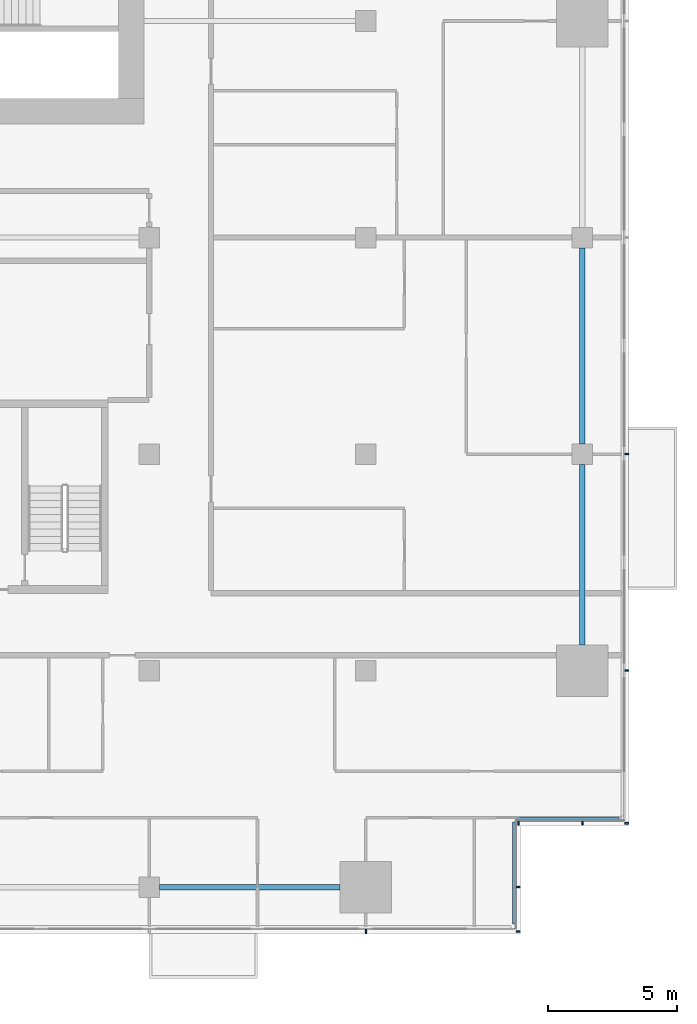
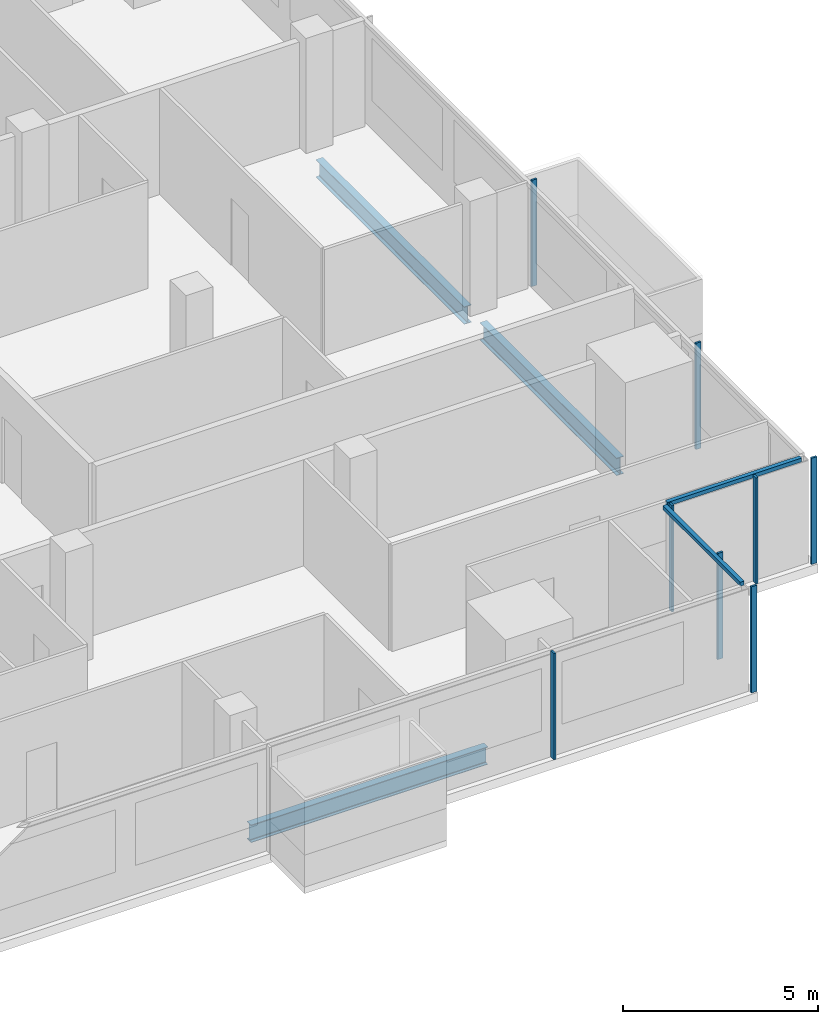
# One storey, part 11 of 26: 10 members, 3 beams, 4 elements without a shape of their own.
"""IFC4 building model written with IfcOpenShell, lengths in metres."""

from ifc_helpers import new_model, si_unit, direction, frame, origin, origin_2d, place, context, subcontext, project, spatial, rectangle, i_section, extrude, material, material_profile, profile_set, type_object, element, aggregate, save


model = new_model("IFC4")

# Units and contexts
model_context = context("Model", 3, precision=1e-05, world=origin(), true_north=direction((0.0, 1.0)))
body_context = subcontext(model_context, "Body", "Model", "MODEL_VIEW")
ifc_project = project(units=[si_unit("LENGTHUNIT", "METRE"), si_unit("AREAUNIT", "SQUARE_METRE"), si_unit("VOLUMEUNIT", "CUBIC_METRE"), si_unit("PLANEANGLEUNIT", "RADIAN"), si_unit("MASSUNIT", "GRAM", prefix="KILO")], contexts=[model_context])

# Site, building, storey
site_placement = place(None, origin())
site = spatial("IfcSite", under=ifc_project, at=site_placement, CompositionType="ELEMENT")
building_placement = place(site_placement, origin())
building = spatial("IfcBuilding", under=site, at=building_placement, Name="Saffron Gate Tower", CompositionType="ELEMENT")
storey_placement = place(building_placement, frame((0.0, 0.0, 120.449951171875)))
storey = spatial("IfcBuildingStorey", under=building, at=storey_placement, Name="L28", CompositionType="ELEMENT", Elevation=120.449951171875)

# Beams
ifc_material_1 = material(Name="Structural steel S355", Category="steel")
ifc_material_profile_1 = material_profile(ifc_material_1, i_section(OverallWidth=0.2099609375, OverallDepth=0.550048828125, WebThickness=0.010986328125, FlangeThickness=0.01708984375, FilletRadius=0.02392578125, at=origin_2d()))
ifc_profile_set_1 = profile_set([ifc_material_profile_1], Name="Structural steel S355")
beam_type = type_object("IfcBeamType", Name="B13 IPE 550", PredefinedType="SPANDREL", material=ifc_profile_set_1)
for number, where, z_axis, x_axis, name in (
    (1, (109.0, 31.800048828125, -0.554931640625), (1.0, 0.0, 0.0), (0.0, 1.0, 0.0), "B13 SPANDREL BEAM"),
    (2, (125.39990234375, 41.199951171875, -0.554931640625), (0.0, 1.0, 0.0), (-1.0, 0.0, 0.0), "B13 SPANDREL BEAM"),
):
    element("IfcBeam", number, at=place(storey_placement, frame(where, z_axis=z_axis, x_axis=x_axis)), inside=storey, type_object=beam_type, Name=name, PredefinedType="SPANDREL", context=body_context, shape_type="SweptSolid", body=[
        extrude(i_section(OverallWidth=0.2099609375, OverallDepth=0.550048828125, WebThickness=0.010986328125, FlangeThickness=0.01708984375, FilletRadius=0.02392578125, at=origin_2d()), origin(), (0.0, 0.0, 1.0), 7.0),
    ])
beam_placement = place(storey_placement, frame((125.39990234375, 49.0, -0.554931640625), z_axis=(0.0, 1.0, 0.0), x_axis=(-1.0, 0.0, 0.0)))
element("IfcBeam", 3, at=beam_placement, inside=storey, type_object=beam_type, Name="B13 SPANDREL BEAM", PredefinedType="SPANDREL", context=body_context, shape_type="SweptSolid", body=[
    extrude(i_section(OverallWidth=0.2099609375, OverallDepth=0.550048828125, WebThickness=0.010986328125, FlangeThickness=0.01708984375, FilletRadius=0.02392578125, at=origin_2d()), origin(), (0.0, 0.0, 1.0), 7.60009765625),
])

# Curtain wall, member
ifc_material_2 = material(Name="Aluminium, bronze anodised", Category="aluminium")
curtain_wall_type_1 = type_object("IfcCurtainWallType", Name="CWS1 curtain wall front facade", PredefinedType="NOTDEFINED", material=ifc_material_2)
curtain_wall_1_placement = place(storey_placement, origin())
curtain_wall_1 = element("IfcCurtainWall", 4, at=curtain_wall_1_placement, inside=storey, type_object=curtain_wall_type_1, Name="CWS1 run 1", PredefinedType="NOTDEFINED")
ifc_material_profile_2 = material_profile(ifc_material_2, rectangle(XDim=0.159912109375, YDim=0.06005859375, at=origin_2d()))
ifc_profile_set_2 = profile_set([ifc_material_profile_2], Name="Aluminium, bronze anodised")
member_type_1 = type_object("IfcMemberType", Name="CWS1 mullion 60x160", PredefinedType="MULLION", material=ifc_profile_set_2)
member_1_placement = place(storey_placement, frame((117.0, 30.080078125, 0.0), z_axis=(0.0, 0.0, 1.0), x_axis=(0.0, 1.0, 0.0)))
member_1 = element("IfcMember", 5, at=member_1_placement, type_object=member_type_1, Name="CWS1 mullion 9", PredefinedType="MULLION", context=body_context, shape_type="SweptSolid", body=[
    extrude(rectangle(XDim=0.159912109375, YDim=0.06005859375, at=origin_2d()), origin(), (0.0, 0.0, 1.0), 3.320068359375),
])
aggregate(curtain_wall_1, [member_1])

# Curtain wall, members
curtain_wall_type_2 = type_object("IfcCurtainWallType", Name="CWS2 curtain wall side facades", PredefinedType="NOTDEFINED", material=ifc_material_2)
curtain_wall_2_placement = place(storey_placement, origin())
curtain_wall_2 = element("IfcCurtainWall", 6, at=curtain_wall_2_placement, inside=storey, type_object=curtain_wall_type_2, Name="CWS2 run 4", PredefinedType="NOTDEFINED")
ifc_material_profile_3 = material_profile(ifc_material_2, rectangle(XDim=0.159912109375, YDim=0.06005859375, at=origin_2d()))
ifc_profile_set_3 = profile_set([ifc_material_profile_3], Name="Aluminium, bronze anodised")
member_type_2 = type_object("IfcMemberType", Name="CWS2 mullion 60x160", PredefinedType="MULLION", material=ifc_profile_set_3)
member_2_placement = place(storey_placement, frame((127.1201171875, 34.280029296875, 0.0), z_axis=(0.0, 0.0, 1.0), x_axis=(-1.0, 0.0, 0.0)))
member_2 = element("IfcMember", 7, at=member_2_placement, type_object=member_type_2, Name="CWS2 mullion 1", PredefinedType="MULLION", context=body_context, shape_type="SweptSolid", body=[
    extrude(rectangle(XDim=0.159912109375, YDim=0.06005859375, at=origin_2d()), origin(), (0.0, 0.0, 1.0), 3.320068359375),
])
member_3_placement = place(storey_placement, frame((127.1201171875, 40.199951171875, 0.0), z_axis=(0.0, 0.0, 1.0), x_axis=(-1.0, 0.0, 0.0)))
member_3 = element("IfcMember", 8, at=member_3_placement, type_object=member_type_2, Name="CWS2 mullion 2", PredefinedType="MULLION", context=body_context, shape_type="SweptSolid", body=[
    extrude(rectangle(XDim=0.159912109375, YDim=0.06005859375, at=origin_2d()), origin(), (0.0, 0.0, 1.0), 3.320068359375),
])
member_4_placement = place(storey_placement, frame((127.1201171875, 48.60009765625, 0.0), z_axis=(0.0, 0.0, 1.0), x_axis=(-1.0, 0.0, 0.0)))
member_4 = element("IfcMember", 9, at=member_4_placement, type_object=member_type_2, Name="CWS2 mullion 3", PredefinedType="MULLION", context=body_context, shape_type="SweptSolid", body=[
    extrude(rectangle(XDim=0.159912109375, YDim=0.06005859375, at=origin_2d()), origin(), (0.0, 0.0, 1.0), 3.320068359375),
])
aggregate(curtain_wall_2, [member_2, member_3, member_4])

# Curtain wall, member
curtain_wall_type_3 = type_object("IfcCurtainWallType", Name="CWS4 curtain wall corner returns", PredefinedType="NOTDEFINED", material=ifc_material_2)
curtain_wall_3_placement = place(storey_placement, origin())
curtain_wall_3 = element("IfcCurtainWall", 10, at=curtain_wall_3_placement, inside=storey, type_object=curtain_wall_type_3, Name="CWS4 run 2", PredefinedType="NOTDEFINED")
ifc_material_profile_4 = material_profile(ifc_material_2, rectangle(XDim=0.1201171875, YDim=0.1201171875, at=origin_2d()))
ifc_profile_set_4 = profile_set([ifc_material_profile_4], Name="Aluminium, bronze anodised")
member_type_3 = type_object("IfcMemberType", Name="CWS4 head transom", PredefinedType="USERDEFINED", material=ifc_profile_set_4)
member_5_placement = place(storey_placement, frame((122.751953125, 30.367919921875, 3.260009765625), z_axis=(0.0, 1.0, 0.0), x_axis=(-1.0, 0.0, 0.0)))
member_5 = element("IfcMember", 11, at=member_5_placement, type_object=member_type_3, Name="CWS4 head transom", ObjectType="TRANSOM", PredefinedType="USERDEFINED", context=body_context, shape_type="SweptSolid", body=[
    extrude(rectangle(XDim=0.1201171875, YDim=0.1201171875, at=origin_2d()), origin(), (0.0, 0.0, 1.0), 3.9599609375),
])

curtain_wall_4_placement = place(storey_placement, origin())
curtain_wall_4 = element("IfcCurtainWall", 12, at=curtain_wall_4_placement, inside=storey, type_object=curtain_wall_type_3, Name="CWS4 run 3", PredefinedType="NOTDEFINED")
member_6_placement = place(storey_placement, frame((122.8720703125, 34.447998046875, 3.260009765625), z_axis=(1.0, 0.0, 0.0), x_axis=(0.0, 1.0, 0.0)))
member_6 = element("IfcMember", 13, at=member_6_placement, type_object=member_type_3, Name="CWS4 head transom", ObjectType="TRANSOM", PredefinedType="USERDEFINED", context=body_context, shape_type="SweptSolid", body=[
    extrude(rectangle(XDim=0.1201171875, YDim=0.1201171875, at=origin_2d()), origin(), (0.0, 0.0, 1.0), 3.9599609375),
])

# Member
ifc_material_profile_5 = material_profile(ifc_material_2, rectangle(XDim=0.159912109375, YDim=0.06005859375, at=origin_2d()))
ifc_profile_set_5 = profile_set([ifc_material_profile_5], Name="Aluminium, bronze anodised")
member_type_4 = type_object("IfcMemberType", Name="CWS4 mullion 60x160", PredefinedType="MULLION", material=ifc_profile_set_5)
member_7_placement = place(storey_placement, frame((122.919921875, 30.080078125, 0.0), z_axis=(0.0, 0.0, 1.0), x_axis=(-1.0, 0.0, 0.0)))
member_7 = element("IfcMember", 14, at=member_7_placement, type_object=member_type_4, Name="CWS4 mullion 1", PredefinedType="MULLION", context=body_context, shape_type="SweptSolid", body=[
    extrude(rectangle(XDim=0.159912109375, YDim=0.06005859375, at=origin_2d()), origin(), (0.0, 0.0, 1.0), 3.320068359375),
])

member_8_placement = place(storey_placement, frame((122.919921875, 31.800048828125, 0.0), z_axis=(0.0, 0.0, 1.0), x_axis=(-1.0, 0.0, 0.0)))
member_8 = element("IfcMember", 15, at=member_8_placement, type_object=member_type_4, Name="CWS4 mullion 2", PredefinedType="MULLION", context=body_context, shape_type="SweptSolid", body=[
    extrude(rectangle(XDim=0.159912109375, YDim=0.06005859375, at=origin_2d()), origin(), (0.0, 0.0, 1.0), 3.320068359375),
])

aggregate(curtain_wall_3, [member_7, member_8, member_5])

member_9_placement = place(storey_placement, frame((122.919921875, 34.280029296875, 0.0), z_axis=(0.0, 0.0, 1.0), x_axis=(0.0, 1.0, 0.0)))
member_9 = element("IfcMember", 16, at=member_9_placement, type_object=member_type_4, Name="CWS4 mullion 1", PredefinedType="MULLION", context=body_context, shape_type="SweptSolid", body=[
    extrude(rectangle(XDim=0.159912109375, YDim=0.06005859375, at=origin_2d()), origin(), (0.0, 0.0, 1.0), 3.320068359375),
])

member_10_placement = place(storey_placement, frame((125.39990234375, 34.280029296875, 0.0), z_axis=(0.0, 0.0, 1.0), x_axis=(0.0, 1.0, 0.0)))
member_10 = element("IfcMember", 17, at=member_10_placement, type_object=member_type_4, Name="CWS4 mullion 2", PredefinedType="MULLION", context=body_context, shape_type="SweptSolid", body=[
    extrude(rectangle(XDim=0.159912109375, YDim=0.06005859375, at=origin_2d()), origin(), (0.0, 0.0, 1.0), 3.320068359375),
])

aggregate(curtain_wall_4, [member_9, member_10, member_6])

save(model, "model.ifc")
